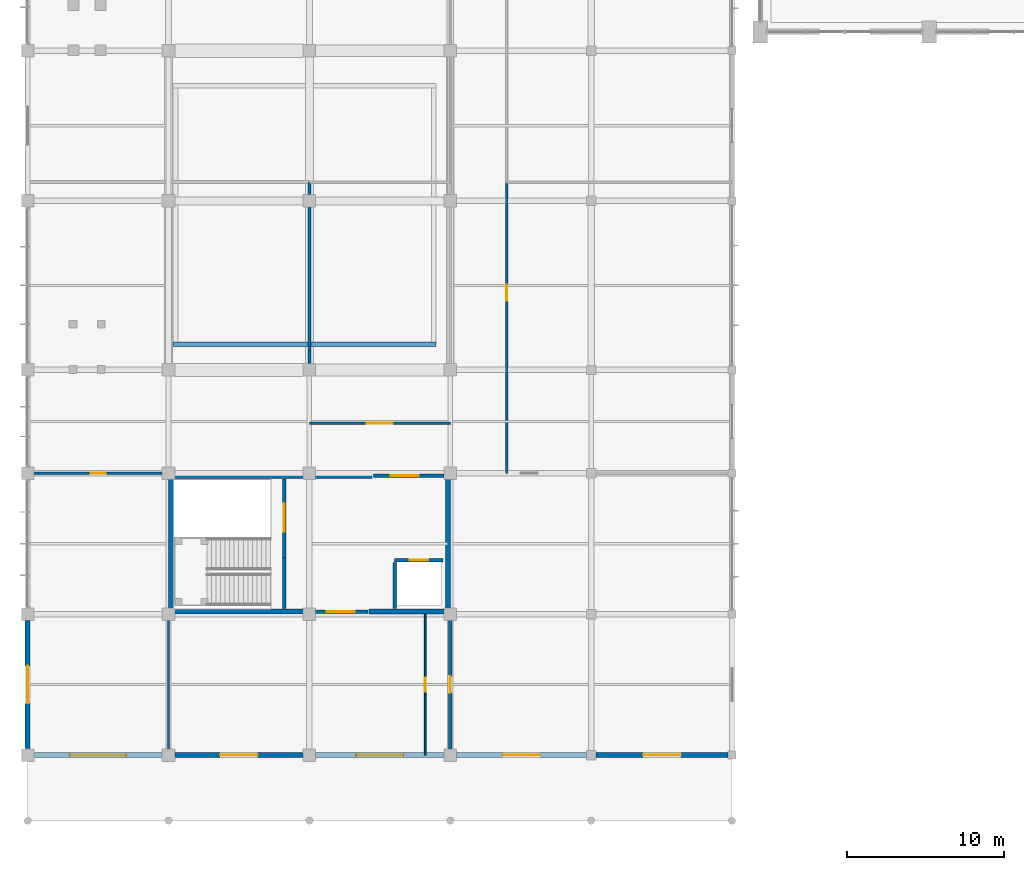
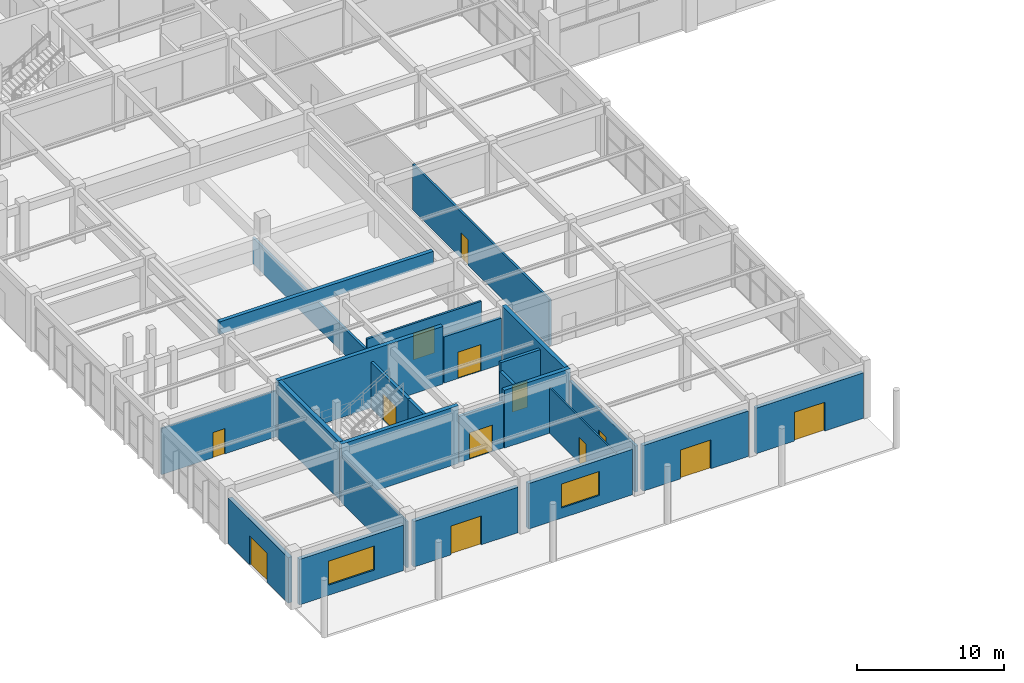
# One storey, part 47 of 82: 25 walls, 13 doors, 2 windows, 15 openings.
"""IFC4 building model written with IfcOpenShell, lengths in metres."""

from ifc_helpers import new_model, si_unit, direction, frame, frame_2d, origin, place, context, subcontext, project, spatial, rectangle, extrude, material, layer, layer_set, type_object, element, fill, save


model = new_model("IFC4")

# Units and contexts
model_context = context("Model", 3, precision=1e-05, world=origin(), true_north=direction((0.0, 1.0)))
body_context = subcontext(model_context, "Body", "Model", "MODEL_VIEW")
ifc_project = project(units=[si_unit("LENGTHUNIT", "METRE"), si_unit("AREAUNIT", "SQUARE_METRE"), si_unit("VOLUMEUNIT", "CUBIC_METRE"), si_unit("PLANEANGLEUNIT", "RADIAN"), si_unit("MASSUNIT", "GRAM", prefix="KILO")], contexts=[model_context])

# Site, building, storey
site_placement = place(None, origin())
site = spatial("IfcSite", under=ifc_project, at=site_placement, CompositionType="ELEMENT")
building_placement = place(site_placement, origin())
building = spatial("IfcBuilding", under=site, at=building_placement, Name="Suirenkawa Promenade Aquatics Centre", CompositionType="ELEMENT")
storey_placement = place(building_placement, origin())
storey = spatial("IfcBuildingStorey", under=building, at=storey_placement, Name="L00", CompositionType="ELEMENT", Elevation=0.0)

# Wall, opening, door
ifc_material_1 = material(Name="Autoclaved aerated concrete blockwork Grade 1", Category="masonry")
ifc_layer_1 = layer(ifc_material_1, 0.199951171875, Name="Autoclaved aerated concrete blockwork Grade 1", Category="masonry")
ifc_layer_set_1 = layer_set([ifc_layer_1], Name="Autoclaved aerated concrete blockwork Grade 1")
wall_type_1 = type_object("IfcWallType", Name="WT-COMP-200", PredefinedType="PARTITIONING", material=ifc_layer_set_1)
wall_1_placement = place(storey_placement, frame((27.0, 4.199951171875, 0.0), z_axis=(0.0, 0.0, 1.0), x_axis=(0.0, 1.0, 0.0)))
wall_1 = element("IfcWall", 1, at=wall_1_placement, inside=storey, type_object=wall_type_1, Name="Interior wall WL-PRT-01 W-7213", PredefinedType="PARTITIONING", context=body_context, shape_type="SweptSolid", body=[
    extrude(rectangle(XDim=9.0, YDim=0.199951171875, at=frame_2d((4.5, 0.0))), origin(), (0.0, 0.0, 1.0), 3.8349609375),
])
opening_1_placement = place(wall_1_placement, frame((3.97509765625, 0.0, 0.0)))
opening_1 = element("IfcOpeningElement", 2, at=opening_1_placement, cuts=wall_1, Name="Opening ID-04", PredefinedType="OPENING", context=body_context, shape_type="SweptSolid", body=[
    extrude(rectangle(XDim=1.050048828125, YDim=2.14990234375, at=frame_2d((0.52490234375, 1.074951171875))), frame((0.0, 0.10986328125, 0.0), z_axis=(0.0, -1.0, 0.0), x_axis=(1.0, 0.0, 0.0)), (0.0, 0.0, 1.0), 0.219970703125),
])
ifc_material_2 = material(Name="Steel IS 2062 E350 (Grade 350)", Category="steel")
door_type_1 = type_object("IfcDoorType", Name="DT-FD120-1050x2150", OperationType="NOTDEFINED", PredefinedType="DOOR", material=ifc_material_2)
door_1_placement = place(opening_1_placement, origin())
door_1 = element("IfcDoor", 3, at=door_1_placement, inside=storey, type_object=door_type_1, Name="Interior door ID-04 DR-INT-0135", OperationType="SINGLE_SWING_RIGHT", OverallHeight=2.14990234375, OverallWidth=1.050048828125, PredefinedType="DOOR", context=body_context, shape_type="SweptSolid", body=[
    extrude(rectangle(XDim=1.050048828125, YDim=2.14990234375, at=frame_2d((0.52490234375, 1.074951171875))), frame((0.0, 0.02490234375, 0.0), z_axis=(0.0, -1.0, 0.0), x_axis=(1.0, 0.0, 0.0)), (0.0, 0.0, 1.0), 0.050048828125),
])
fill(opening_1, door_1)

# Walls
ifc_material_3 = material(Name="Concrete M40", Category="concrete")
ifc_layer_2 = layer(ifc_material_3, 0.320068359375, Name="Concrete M40", Category="concrete")
ifc_layer_set_2 = layer_set([ifc_layer_2], Name="Concrete M40")
wall_type_2 = type_object("IfcWallType", Name="WT-CORE-320", PredefinedType="SHEAR", material=ifc_layer_set_2)
wall_2_placement = place(storey_placement, frame((9.0, 13.360107421875, 0.0), z_axis=(0.0, 0.0, 1.0), x_axis=(1.0, 0.0, 0.0)))
element("IfcWall", 4, at=wall_2_placement, inside=storey, type_object=wall_type_2, Name="C1 south-west core wall WL-CORE-01 W-0053", PredefinedType="SHEAR", context=body_context, shape_type="SweptSolid", body=[
    extrude(rectangle(XDim=9.199951171875, YDim=0.320068359375, at=frame_2d((4.60009765625, 0.0))), origin(), (0.0, 0.0, 1.0), 4.800048828125),
])
wall_3_placement = place(storey_placement, frame((21.800048828125, 13.360107421875, 0.0), z_axis=(0.0, 0.0, 1.0), x_axis=(1.0, 0.0, 0.0)))
element("IfcWall", 5, at=wall_3_placement, inside=storey, type_object=wall_type_2, Name="C1 south-east core wall WL-CORE-01 W-0054", PredefinedType="SHEAR", context=body_context, shape_type="SweptSolid", body=[
    extrude(rectangle(XDim=5.199951171875, YDim=0.320068359375, at=frame_2d((2.60009765625, 0.0))), origin(), (0.0, 0.0, 1.0), 4.800048828125),
])
wall_4_placement = place(storey_placement, frame((9.0, 22.0400390625, 0.0), z_axis=(0.0, 0.0, 1.0), x_axis=(1.0, 0.0, 0.0)))
element("IfcWall", 6, at=wall_4_placement, inside=storey, type_object=wall_type_2, Name="C1 north core wall WL-CORE-01 W-0055", PredefinedType="SHEAR", context=body_context, shape_type="SweptSolid", body=[
    extrude(rectangle(XDim=13.0, YDim=0.320068359375, at=frame_2d((6.5, 0.0))), origin(), (0.0, 0.0, 1.0), 4.800048828125),
])
wall_5_placement = place(storey_placement, frame((9.159912109375, 13.52001953125, 0.0), z_axis=(0.0, 0.0, 1.0), x_axis=(0.0, 1.0, 0.0)))
element("IfcWall", 7, at=wall_5_placement, inside=storey, type_object=wall_type_2, Name="C1 west core wall WL-CORE-01 W-0056", PredefinedType="SHEAR", context=body_context, shape_type="SweptSolid", body=[
    extrude(rectangle(XDim=8.35986328125, YDim=0.320068359375, at=frame_2d((4.179931640625, 0.0))), origin(), (0.0, 0.0, 1.0), 4.800048828125),
])
wall_6_placement = place(storey_placement, frame((26.840087890625, 13.52001953125, 0.0), z_axis=(0.0, 0.0, 1.0), x_axis=(0.0, 1.0, 0.0)))
element("IfcWall", 8, at=wall_6_placement, inside=storey, type_object=wall_type_2, Name="C1 east core wall WL-CORE-01 W-0057", PredefinedType="SHEAR", context=body_context, shape_type="SweptSolid", body=[
    extrude(rectangle(XDim=8.47998046875, YDim=0.320068359375, at=frame_2d((4.239990234375, 0.0))), origin(), (0.0, 0.0, 1.0), 4.800048828125),
])

# Wall, opening, window
ifc_layer_3 = layer(ifc_material_3, 0.31005859375, Name="Concrete M40", Category="concrete")
ifc_layer_set_3 = layer_set([ifc_layer_3], Name="Concrete M40")
wall_type_3 = type_object("IfcWallType", Name="WT-EXT-310", PredefinedType="SOLIDWALL", material=ifc_layer_set_3)
wall_7_placement = place(storey_placement, frame((8.594970703125, 4.199951171875, 0.0), z_axis=(0.0, 0.0, 1.0), x_axis=(-1.0, 0.0, 0.0)))
wall_7 = element("IfcWall", 9, at=wall_7_placement, inside=storey, type_object=wall_type_3, Name="Exterior wall WL-EXT-02 W-5074", PredefinedType="SOLIDWALL", context=body_context, shape_type="SweptSolid", body=[
    extrude(rectangle(XDim=8.18994140625, YDim=0.31005859375, at=frame_2d((4.094970703125, 0.0))), origin(), (0.0, 0.0, 1.0), 3.784912109375),
])
opening_2_placement = place(wall_7_placement, frame((2.294921875, 0.0, 0.85009765625)))
opening_2 = element("IfcOpeningElement", 10, at=opening_2_placement, cuts=wall_7, Name="Opening WN-22", PredefinedType="OPENING", context=body_context, shape_type="SweptSolid", body=[
    extrude(rectangle(XDim=3.60009765625, YDim=2.0, at=frame_2d((1.800048828125, 1.0))), frame((0.0, 0.1650390625, 0.0), z_axis=(0.0, -1.0, 0.0), x_axis=(1.0, 0.0, 0.0)), (0.0, 0.0, 1.0), 0.330078125),
])
ifc_material_4 = material(Name="Low-E thermally broken double glazing", Category="glass")
window_type_1 = type_object("IfcWindowType", Name="WNT-VIEW-3600x2000", PartitioningType="SINGLE_PANEL", PredefinedType="WINDOW", material=ifc_material_4)
window_1_placement = place(opening_2_placement, origin())
window_1 = element("IfcWindow", 11, at=window_1_placement, inside=storey, type_object=window_type_1, Name="Window WN-22 WN-0024", OverallHeight=2.0, OverallWidth=3.60009765625, PartitioningType="SINGLE_PANEL", PredefinedType="WINDOW", context=body_context, shape_type="SweptSolid", body=[
    extrude(rectangle(XDim=3.60009765625, YDim=2.0, at=frame_2d((1.800048828125, 1.0))), frame((0.0, 0.030029296875, 0.0), z_axis=(0.0, -1.0, 0.0), x_axis=(1.0, 0.0, 0.0)), (0.0, 0.0, 1.0), 0.06005859375),
])
fill(opening_2, window_1)

# Wall, opening, door
wall_8_placement = place(storey_placement, frame((17.594970703125, 4.199951171875, 0.0), z_axis=(0.0, 0.0, 1.0), x_axis=(-1.0, 0.0, 0.0)))
wall_8 = element("IfcWall", 12, at=wall_8_placement, inside=storey, type_object=wall_type_3, Name="Exterior wall WL-EXT-02 W-5075", PredefinedType="SOLIDWALL", context=body_context, shape_type="SweptSolid", body=[
    extrude(rectangle(XDim=8.18994140625, YDim=0.31005859375, at=frame_2d((4.094970703125, 0.0))), origin(), (0.0, 0.0, 1.0), 3.784912109375),
])
opening_3_placement = place(wall_8_placement, frame((2.89501953125, 0.0, 0.0)))
opening_3 = element("IfcOpeningElement", 13, at=opening_3_placement, cuts=wall_8, Name="Opening ED-04", PredefinedType="OPENING", context=body_context, shape_type="SweptSolid", body=[
    extrude(rectangle(XDim=2.39990234375, YDim=2.39990234375, at=frame_2d((1.199951171875, 1.199951171875))), frame((0.0, 0.1650390625, 0.0), z_axis=(0.0, -1.0, 0.0), x_axis=(1.0, 0.0, 0.0)), (0.0, 0.0, 1.0), 0.330078125),
])
ifc_material_5 = material(Name="Anodised aluminium 6063-T6", Category="aluminium")
door_type_2 = type_object("IfcDoorType", Name="DT-EXT-EXIT-2400x2400", OperationType="DOUBLE_DOOR_SINGLE_SWING", PredefinedType="DOOR", material=ifc_material_5)
door_2_placement = place(opening_3_placement, origin())
door_2 = element("IfcDoor", 14, at=door_2_placement, inside=storey, type_object=door_type_2, Name="Exterior door ED-04 DR-EXT-042", OperationType="DOUBLE_DOOR_SINGLE_SWING", OverallHeight=2.39990234375, OverallWidth=2.39990234375, PredefinedType="DOOR", context=body_context, shape_type="SweptSolid", body=[
    extrude(rectangle(XDim=2.39990234375, YDim=2.39990234375, at=frame_2d((1.199951171875, 1.199951171875))), frame((0.0, 0.02490234375, 0.0), z_axis=(0.0, -1.0, 0.0), x_axis=(1.0, 0.0, 0.0)), (0.0, 0.0, 1.0), 0.050048828125),
])
fill(opening_3, door_2)

# Wall, opening, window
wall_9_placement = place(storey_placement, frame((26.594970703125, 4.199951171875, 0.0), z_axis=(0.0, 0.0, 1.0), x_axis=(-1.0, 0.0, 0.0)))
wall_9 = element("IfcWall", 15, at=wall_9_placement, inside=storey, type_object=wall_type_3, Name="Exterior wall WL-EXT-02 W-5076", PredefinedType="SOLIDWALL", context=body_context, shape_type="SweptSolid", body=[
    extrude(rectangle(XDim=8.18994140625, YDim=0.31005859375, at=frame_2d((4.094970703125, 0.0))), origin(), (0.0, 0.0, 1.0), 3.784912109375),
])
opening_4_placement = place(wall_9_placement, frame((2.594970703125, 0.0, 0.85009765625)))
opening_4 = element("IfcOpeningElement", 16, at=opening_4_placement, cuts=wall_9, Name="Opening WN-23", PredefinedType="OPENING", context=body_context, shape_type="SweptSolid", body=[
    extrude(rectangle(XDim=3.0, YDim=2.0, at=frame_2d((1.5, 1.0))), frame((0.0, 0.1650390625, 0.0), z_axis=(0.0, -1.0, 0.0), x_axis=(1.0, 0.0, 0.0)), (0.0, 0.0, 1.0), 0.330078125),
])
window_type_2 = type_object("IfcWindowType", Name="WNT-VIEW-3000x2000", PartitioningType="SINGLE_PANEL", PredefinedType="WINDOW", material=ifc_material_4)
window_2_placement = place(opening_4_placement, origin())
window_2 = element("IfcWindow", 17, at=window_2_placement, inside=storey, type_object=window_type_2, Name="Window WN-23 WN-0025", OverallHeight=2.0, OverallWidth=3.0, PartitioningType="SINGLE_PANEL", PredefinedType="WINDOW", context=body_context, shape_type="SweptSolid", body=[
    extrude(rectangle(XDim=3.0, YDim=2.0, at=frame_2d((1.5, 1.0))), frame((0.0, 0.030029296875, 0.0), z_axis=(0.0, -1.0, 0.0), x_axis=(1.0, 0.0, 0.0)), (0.0, 0.0, 1.0), 0.06005859375),
])
fill(opening_4, window_2)

# Wall, opening, door
wall_10_placement = place(storey_placement, frame((35.695068359375, 4.199951171875, 0.0), z_axis=(0.0, 0.0, 1.0), x_axis=(-1.0, 0.0, 0.0)))
wall_10 = element("IfcWall", 18, at=wall_10_placement, inside=storey, type_object=wall_type_3, Name="Exterior wall WL-EXT-02 W-5077", PredefinedType="SOLIDWALL", context=body_context, shape_type="SweptSolid", body=[
    extrude(rectangle(XDim=8.2900390625, YDim=0.31005859375, at=frame_2d((4.14501953125, 0.0))), origin(), (0.0, 0.0, 1.0), 3.784912109375),
])
opening_5_placement = place(wall_10_placement, frame((2.945068359375, 0.0, 0.0)))
opening_5 = element("IfcOpeningElement", 19, at=opening_5_placement, cuts=wall_10, Name="Opening ED-04", PredefinedType="OPENING", context=body_context, shape_type="SweptSolid", body=[
    extrude(rectangle(XDim=2.39990234375, YDim=2.39990234375, at=frame_2d((1.199951171875, 1.199951171875))), frame((0.0, 0.1650390625, 0.0), z_axis=(0.0, -1.0, 0.0), x_axis=(1.0, 0.0, 0.0)), (0.0, 0.0, 1.0), 0.330078125),
])
door_3_placement = place(opening_5_placement, origin())
door_3 = element("IfcDoor", 20, at=door_3_placement, inside=storey, type_object=door_type_2, Name="Exterior door ED-04 DR-EXT-043", OperationType="DOUBLE_DOOR_SINGLE_SWING", OverallHeight=2.39990234375, OverallWidth=2.39990234375, PredefinedType="DOOR", context=body_context, shape_type="SweptSolid", body=[
    extrude(rectangle(XDim=2.39990234375, YDim=2.39990234375, at=frame_2d((1.199951171875, 1.199951171875))), frame((0.0, 0.02490234375, 0.0), z_axis=(0.0, -1.0, 0.0), x_axis=(1.0, 0.0, 0.0)), (0.0, 0.0, 1.0), 0.050048828125),
])
fill(opening_5, door_3)

wall_11_placement = place(storey_placement, frame((44.7451171875, 4.199951171875, 0.0), z_axis=(0.0, 0.0, 1.0), x_axis=(-1.0, 0.0, 0.0)))
wall_11 = element("IfcWall", 21, at=wall_11_placement, inside=storey, type_object=wall_type_3, Name="Exterior wall WL-EXT-02 W-5078", PredefinedType="SOLIDWALL", context=body_context, shape_type="SweptSolid", body=[
    extrude(rectangle(XDim=8.440185546875, YDim=0.31005859375, at=frame_2d((4.22021484375, 0.0))), origin(), (0.0, 0.0, 1.0), 3.784912109375),
])
opening_6_placement = place(wall_11_placement, frame((3.02001953125, 0.0, 0.0)))
opening_6 = element("IfcOpeningElement", 22, at=opening_6_placement, cuts=wall_11, Name="Opening ED-04", PredefinedType="OPENING", context=body_context, shape_type="SweptSolid", body=[
    extrude(rectangle(XDim=2.39990234375, YDim=2.39990234375, at=frame_2d((1.199951171875, 1.199951171875))), frame((0.0, 0.1650390625, 0.0), z_axis=(0.0, -1.0, 0.0), x_axis=(1.0, 0.0, 0.0)), (0.0, 0.0, 1.0), 0.330078125),
])
door_4_placement = place(opening_6_placement, origin())
door_4 = element("IfcDoor", 23, at=door_4_placement, inside=storey, type_object=door_type_2, Name="Exterior door ED-04 DR-EXT-044", OperationType="DOUBLE_DOOR_SINGLE_SWING", OverallHeight=2.39990234375, OverallWidth=2.39990234375, PredefinedType="DOOR", context=body_context, shape_type="SweptSolid", body=[
    extrude(rectangle(XDim=2.39990234375, YDim=2.39990234375, at=frame_2d((1.199951171875, 1.199951171875))), frame((0.0, 0.02490234375, 0.0), z_axis=(0.0, -1.0, 0.0), x_axis=(1.0, 0.0, 0.0)), (0.0, 0.0, 1.0), 0.050048828125),
])
fill(opening_6, door_4)

wall_12_placement = place(storey_placement, frame((0.0, 4.60498046875, 0.0), z_axis=(0.0, 0.0, 1.0), x_axis=(0.0, 1.0, 0.0)))
wall_12 = element("IfcWall", 24, at=wall_12_placement, inside=storey, type_object=wall_type_3, Name="Exterior wall WL-EXT-02 W-5094", PredefinedType="SOLIDWALL", context=body_context, shape_type="SweptSolid", body=[
    extrude(rectangle(XDim=8.18994140625, YDim=0.31005859375, at=frame_2d((4.094970703125, 0.0))), origin(), (0.0, 0.0, 1.0), 3.784912109375),
])
opening_7_placement = place(wall_12_placement, frame((2.89501953125, 0.0, 0.0)))
opening_7 = element("IfcOpeningElement", 25, at=opening_7_placement, cuts=wall_12, Name="Opening ED-04", PredefinedType="OPENING", context=body_context, shape_type="SweptSolid", body=[
    extrude(rectangle(XDim=2.39990234375, YDim=2.39990234375, at=frame_2d((1.199951171875, 1.199951171875))), frame((0.0, 0.1650390625, 0.0), z_axis=(0.0, -1.0, 0.0), x_axis=(1.0, 0.0, 0.0)), (0.0, 0.0, 1.0), 0.330078125),
])
door_5_placement = place(opening_7_placement, origin())
door_5 = element("IfcDoor", 26, at=door_5_placement, inside=storey, type_object=door_type_2, Name="Exterior door ED-04 DR-EXT-045", OperationType="DOUBLE_DOOR_SINGLE_SWING", OverallHeight=2.39990234375, OverallWidth=2.39990234375, PredefinedType="DOOR", context=body_context, shape_type="SweptSolid", body=[
    extrude(rectangle(XDim=2.39990234375, YDim=2.39990234375, at=frame_2d((1.199951171875, 1.199951171875))), frame((0.0, 0.02490234375, 0.0), z_axis=(0.0, -1.0, 0.0), x_axis=(1.0, 0.0, 0.0)), (0.0, 0.0, 1.0), 0.050048828125),
])
fill(opening_7, door_5)

# Wall
ifc_layer_4 = layer(ifc_material_1, 0.179931640625, Name="Autoclaved aerated concrete blockwork Grade 1", Category="masonry")
ifc_layer_set_4 = layer_set([ifc_layer_4], Name="Autoclaved aerated concrete blockwork Grade 1")
wall_type_4 = type_object("IfcWallType", Name="WT-FIRE-180", PredefinedType="PARTITIONING", material=ifc_layer_set_4)
wall_13_placement = place(storey_placement, frame((18.0, 22.199951171875, 0.0), z_axis=(0.0, 0.0, 1.0), x_axis=(0.0, 1.0, 0.0)))
element("IfcWall", 27, at=wall_13_placement, inside=storey, type_object=wall_type_4, Name="Interior wall WL-PRT-02 W-7232", PredefinedType="PARTITIONING", context=body_context, shape_type="SweptSolid", body=[
    extrude(rectangle(XDim=18.60009765625, YDim=0.179931640625, at=frame_2d((9.300048828125, 0.0))), origin(), (0.0, 0.0, 1.0), 2.179931640625),
])

# Wall, opening, door
ifc_material_6 = material(Name="Moisture-resistant acoustic gypsum board")
ifc_layer_5 = layer(ifc_material_6, 0.1201171875, Name="Moisture-resistant acoustic gypsum board")
ifc_layer_set_5 = layer_set([ifc_layer_5], Name="Moisture-resistant acoustic gypsum board")
wall_type_5 = type_object("IfcWallType", Name="WT-LIGHT-120", PredefinedType="PARTITIONING", material=ifc_layer_set_5)
wall_14_placement = place(storey_placement, frame((25.39990234375, 4.199951171875, 0.0), z_axis=(0.0, 0.0, 1.0), x_axis=(0.0, 1.0, 0.0)))
wall_14 = element("IfcWall", 28, at=wall_14_placement, inside=storey, type_object=wall_type_5, Name="Interior wall WL-PRT-05 W-7211", PredefinedType="PARTITIONING", context=body_context, shape_type="SweptSolid", body=[
    extrude(rectangle(XDim=9.0, YDim=0.1201171875, at=frame_2d((4.5, 0.0))), origin(), (0.0, 0.0, 1.0), 3.784912109375),
])
opening_8_placement = place(wall_14_placement, frame((4.050048828125, 0.0, 0.0)))
opening_8 = element("IfcOpeningElement", 29, at=opening_8_placement, cuts=wall_14, Name="Opening ID-12", PredefinedType="OPENING", context=body_context, shape_type="SweptSolid", body=[
    extrude(rectangle(XDim=0.89990234375, YDim=2.10009765625, at=frame_2d((0.449951171875, 1.050048828125))), frame((0.0, 0.070068359375, 0.0), z_axis=(0.0, -1.0, 0.0), x_axis=(1.0, 0.0, 0.0)), (0.0, 0.0, 1.0), 0.14013671875),
])
ifc_material_7 = material(Name="Engineered maple acoustic sports timber", Category="wood")
door_type_3 = type_object("IfcDoorType", Name="DT-STD-900x2100", OperationType="NOTDEFINED", PredefinedType="DOOR", material=ifc_material_7)
door_6_placement = place(opening_8_placement, origin())
door_6 = element("IfcDoor", 30, at=door_6_placement, inside=storey, type_object=door_type_3, Name="Interior door ID-12 DR-INT-0134", OperationType="SINGLE_SWING_LEFT", OverallHeight=2.10009765625, OverallWidth=0.89990234375, PredefinedType="DOOR", context=body_context, shape_type="SweptSolid", body=[
    extrude(rectangle(XDim=0.89990234375, YDim=2.10009765625, at=frame_2d((0.449951171875, 1.050048828125))), frame((0.0, 0.02490234375, 0.0), z_axis=(0.0, -1.0, 0.0), x_axis=(1.0, 0.0, 0.0)), (0.0, 0.0, 1.0), 0.050048828125),
])
fill(opening_8, door_6)

# Wall
wall_15_placement = place(storey_placement, frame((9.0, 4.199951171875, 0.0), z_axis=(0.0, 0.0, 1.0), x_axis=(0.0, 1.0, 0.0)))
element("IfcWall", 31, at=wall_15_placement, inside=storey, type_object=wall_type_5, Name="Interior wall WL-PRT-05 W-7212", PredefinedType="PARTITIONING", context=body_context, shape_type="SweptSolid", body=[
    extrude(rectangle(XDim=9.0, YDim=0.1201171875, at=frame_2d((4.5, 0.0))), origin(), (0.0, 0.0, 1.0), 3.8349609375),
])

# Wall, opening, door
ifc_material_8 = material(Name="Concrete M35", Category="concrete")
ifc_layer_6 = layer(ifc_material_8, 0.219970703125, Name="Concrete M35", Category="concrete")
ifc_layer_set_6 = layer_set([ifc_layer_6], Name="Concrete M35")
wall_type_6 = type_object("IfcWallType", Name="WT-LOBBY-220", PredefinedType="PARTITIONING", material=ifc_layer_set_6)
wall_16_placement = place(storey_placement, frame((16.39990234375, 21.85009765625, 0.0), z_axis=(0.0, 0.0, 1.0), x_axis=(0.0, -1.0, 0.0)))
wall_16 = element("IfcWall", 32, at=wall_16_placement, inside=storey, type_object=wall_type_6, Name="Interior wall WL-LOB-01 W-7007", PredefinedType="PARTITIONING", context=body_context, shape_type="SweptSolid", body=[
    extrude(rectangle(XDim=5.050048828125, YDim=0.219970703125, at=frame_2d((2.52490234375, 0.0))), origin(), (0.0, 0.0, 1.0), 3.8349609375),
])
opening_9_placement = place(wall_16_placement, frame((1.60009765625, 0.0, 0.0)))
opening_9 = element("IfcOpeningElement", 33, at=opening_9_placement, cuts=wall_16, Name="Opening ID-02", PredefinedType="OPENING", context=body_context, shape_type="SweptSolid", body=[
    extrude(rectangle(XDim=1.800048828125, YDim=2.199951171875, at=frame_2d((0.89990234375, 1.10009765625))), frame((0.0, 0.119873046875, 0.0), z_axis=(0.0, -1.0, 0.0), x_axis=(1.0, 0.0, 0.0)), (0.0, 0.0, 1.0), 0.239990234375),
])
door_type_4 = type_object("IfcDoorType", Name="DT-FD120-1800x2200", OperationType="DOUBLE_DOOR_SINGLE_SWING", PredefinedType="DOOR", material=ifc_material_2)
door_7_placement = place(opening_9_placement, origin())
door_7 = element("IfcDoor", 34, at=door_7_placement, inside=storey, type_object=door_type_4, Name="Interior door ID-02 DR-INT-0005", OperationType="DOUBLE_DOOR_SINGLE_SWING", OverallHeight=2.199951171875, OverallWidth=1.800048828125, PredefinedType="DOOR", context=body_context, shape_type="SweptSolid", body=[
    extrude(rectangle(XDim=1.800048828125, YDim=2.199951171875, at=frame_2d((0.89990234375, 1.10009765625))), frame((0.0, 0.02490234375, 0.0), z_axis=(0.0, -1.0, 0.0), x_axis=(1.0, 0.0, 0.0)), (0.0, 0.0, 1.0), 0.050048828125),
])
fill(opening_9, door_7)

# Wall
wall_17_placement = place(storey_placement, frame((16.39990234375, 13.550048828125, 0.0), z_axis=(0.0, 0.0, 1.0), x_axis=(0.0, 1.0, 0.0)))
element("IfcWall", 35, at=wall_17_placement, inside=storey, type_object=wall_type_6, Name="Interior wall WL-LOB-01 W-7008", PredefinedType="PARTITIONING", context=body_context, shape_type="SweptSolid", body=[
    extrude(rectangle(XDim=3.25, YDim=0.219970703125, at=frame_2d((1.625, 0.0))), origin(), (0.0, 0.0, 1.0), 3.8349609375),
])

# Wall, opening, door
wall_18_placement = place(storey_placement, frame((22.10009765625, 22.0400390625, 0.0), z_axis=(0.0, 0.0, 1.0), x_axis=(1.0, 0.0, 0.0)))
wall_18 = element("IfcWall", 36, at=wall_18_placement, inside=storey, type_object=wall_type_6, Name="Interior wall WL-LOB-01 W-7011", PredefinedType="PARTITIONING", context=body_context, shape_type="SweptSolid", body=[
    extrude(rectangle(XDim=4.5, YDim=0.219970703125, at=frame_2d((2.25, 0.0))), origin(), (0.0, 0.0, 1.0), 3.8349609375),
])
opening_10_placement = place(wall_18_placement, frame((1.10009765625, 0.0, 0.0)))
opening_10 = element("IfcOpeningElement", 37, at=opening_10_placement, cuts=wall_18, Name="Opening ID-02", PredefinedType="OPENING", context=body_context, shape_type="SweptSolid", body=[
    extrude(rectangle(XDim=1.800048828125, YDim=2.199951171875, at=frame_2d((0.89990234375, 1.10009765625))), frame((0.0, 0.119873046875, 0.0), z_axis=(0.0, -1.0, 0.0), x_axis=(1.0, 0.0, 0.0)), (0.0, 0.0, 1.0), 0.239990234375),
])
door_8_placement = place(opening_10_placement, origin())
door_8 = element("IfcDoor", 38, at=door_8_placement, inside=storey, type_object=door_type_4, Name="Interior door ID-02 DR-INT-0007", OperationType="DOUBLE_DOOR_SINGLE_SWING", OverallHeight=2.199951171875, OverallWidth=1.800048828125, PredefinedType="DOOR", context=body_context, shape_type="SweptSolid", body=[
    extrude(rectangle(XDim=1.800048828125, YDim=2.199951171875, at=frame_2d((0.89990234375, 1.10009765625))), frame((0.0, 0.02490234375, 0.0), z_axis=(0.0, -1.0, 0.0), x_axis=(1.0, 0.0, 0.0)), (0.0, 0.0, 1.0), 0.050048828125),
])
fill(opening_10, door_8)

wall_19_placement = place(storey_placement, frame((18.25, 13.360107421875, 0.0), z_axis=(0.0, 0.0, 1.0), x_axis=(1.0, 0.0, 0.0)))
wall_19 = element("IfcWall", 39, at=wall_19_placement, inside=storey, type_object=wall_type_6, Name="Interior wall WL-LOB-01 W-7167", PredefinedType="PARTITIONING", context=body_context, shape_type="SweptSolid", body=[
    extrude(rectangle(XDim=3.5, YDim=0.219970703125, at=frame_2d((1.75, 0.0))), origin(), (0.0, 0.0, 1.0), 3.8349609375),
])
opening_11_placement = place(wall_19_placement, frame((0.85009765625, 0.0, 0.0)))
opening_11 = element("IfcOpeningElement", 40, at=opening_11_placement, cuts=wall_19, Name="Opening ID-02", PredefinedType="OPENING", context=body_context, shape_type="SweptSolid", body=[
    extrude(rectangle(XDim=1.800048828125, YDim=2.199951171875, at=frame_2d((0.89990234375, 1.10009765625))), frame((0.0, 0.119873046875, 0.0), z_axis=(0.0, -1.0, 0.0), x_axis=(1.0, 0.0, 0.0)), (0.0, 0.0, 1.0), 0.239990234375),
])
door_9_placement = place(opening_11_placement, origin())
door_9 = element("IfcDoor", 41, at=door_9_placement, inside=storey, type_object=door_type_4, Name="Interior door ID-02 DR-INT-0104", OperationType="DOUBLE_DOOR_SINGLE_SWING", OverallHeight=2.199951171875, OverallWidth=1.800048828125, PredefinedType="DOOR", context=body_context, shape_type="SweptSolid", body=[
    extrude(rectangle(XDim=1.800048828125, YDim=2.199951171875, at=frame_2d((0.89990234375, 1.10009765625))), frame((0.0, 0.02490234375, 0.0), z_axis=(0.0, -1.0, 0.0), x_axis=(1.0, 0.0, 0.0)), (0.0, 0.0, 1.0), 0.050048828125),
])
fill(opening_11, door_9)

ifc_layer_7 = layer(ifc_material_3, 0.239990234375, Name="Concrete M40", Category="concrete")
ifc_layer_set_7 = layer_set([ifc_layer_7], Name="Concrete M40")
wall_type_7 = type_object("IfcWallType", Name="WT-SHAFT-240", PredefinedType="SOLIDWALL", material=ifc_layer_set_7)
wall_20_placement = place(storey_placement, frame((23.449951171875, 16.64990234375, 0.0), z_axis=(0.0, 0.0, 1.0), x_axis=(1.0, 0.0, 0.0)))
wall_20 = element("IfcWall", 42, at=wall_20_placement, inside=storey, type_object=wall_type_7, Name="Interior wall WL-SHF-01 W-7009", PredefinedType="SOLIDWALL", context=body_context, shape_type="SweptSolid", body=[
    extrude(rectangle(XDim=3.10009765625, YDim=0.239990234375, at=frame_2d((1.550048828125, 0.0))), origin(), (0.0, 0.0, 1.0), 4.5048828125),
])
opening_12_placement = place(wall_20_placement, frame((0.949951171875, 0.0, 0.0)))
opening_12 = element("IfcOpeningElement", 43, at=opening_12_placement, cuts=wall_20, Name="Opening LD-02", PredefinedType="OPENING", context=body_context, shape_type="SweptSolid", body=[
    extrude(rectangle(XDim=1.199951171875, YDim=2.199951171875, at=frame_2d((0.60009765625, 1.10009765625))), frame((0.0, 0.1298828125, 0.0), z_axis=(0.0, -1.0, 0.0), x_axis=(1.0, 0.0, 0.0)), (0.0, 0.0, 1.0), 0.260009765625),
])
ifc_material_9 = material(Name="Marine-grade stainless steel Grade 316L", Category="steel")
door_type_5 = type_object("IfcDoorType", Name="DT-LIFT-1200x2200", OperationType="DOUBLE_DOOR_SLIDING", PredefinedType="DOOR", material=ifc_material_9)
door_10_placement = place(opening_12_placement, origin())
door_10 = element("IfcDoor", 44, at=door_10_placement, inside=storey, type_object=door_type_5, Name="Landing door LD-02 DR-INT-0006", OperationType="DOUBLE_DOOR_SLIDING", OverallHeight=2.199951171875, OverallWidth=1.199951171875, PredefinedType="DOOR", context=body_context, shape_type="SweptSolid", body=[
    extrude(rectangle(XDim=1.199951171875, YDim=2.199951171875, at=frame_2d((0.60009765625, 1.10009765625))), frame((0.0, 0.02490234375, 0.0), z_axis=(0.0, -1.0, 0.0), x_axis=(1.0, 0.0, 0.0)), (0.0, 0.0, 1.0), 0.050048828125),
])
fill(opening_12, door_10)

# Wall
wall_21_placement = place(storey_placement, frame((23.449951171875, 13.550048828125, 0.0), z_axis=(0.0, 0.0, 1.0), x_axis=(0.0, 1.0, 0.0)))
element("IfcWall", 45, at=wall_21_placement, inside=storey, type_object=wall_type_7, Name="Interior wall WL-SHF-01 W-7010", PredefinedType="SOLIDWALL", context=body_context, shape_type="SweptSolid", body=[
    extrude(rectangle(XDim=2.949951171875, YDim=0.239990234375, at=frame_2d((1.47509765625, 0.0))), origin(), (0.0, 0.0, 1.0), 3.8349609375),
])

# Wall, opening, door
ifc_layer_8 = layer(ifc_material_6, 0.139892578125, Name="Moisture-resistant acoustic gypsum board")
ifc_layer_set_8 = layer_set([ifc_layer_8], Name="Moisture-resistant acoustic gypsum board")
wall_type_8 = type_object("IfcWallType", Name="WT-STD-140", PredefinedType="PARTITIONING", material=ifc_layer_set_8)
wall_22_placement = place(storey_placement, frame((0.0, 22.199951171875, 0.0), z_axis=(0.0, 0.0, 1.0), x_axis=(1.0, 0.0, 0.0)))
wall_22 = element("IfcWall", 46, at=wall_22_placement, inside=storey, type_object=wall_type_8, Name="Interior wall WL-PRT-04 W-7210", PredefinedType="PARTITIONING", context=body_context, shape_type="SweptSolid", body=[
    extrude(rectangle(XDim=9.0, YDim=0.139892578125, at=frame_2d((4.5, 0.0))), origin(), (0.0, 0.0, 1.0), 3.8349609375),
])
opening_13_placement = place(wall_22_placement, frame((4.02490234375, 0.0, 0.0)))
opening_13 = element("IfcOpeningElement", 47, at=opening_13_placement, cuts=wall_22, Name="Opening ID-11", PredefinedType="OPENING", context=body_context, shape_type="SweptSolid", body=[
    extrude(rectangle(XDim=0.949951171875, YDim=2.10009765625, at=frame_2d((0.47509765625, 1.050048828125))), frame((0.0, 0.079833984375, 0.0), z_axis=(0.0, -1.0, 0.0), x_axis=(1.0, 0.0, 0.0)), (0.0, 0.0, 1.0), 0.159912109375),
])
door_type_6 = type_object("IfcDoorType", Name="DT-STD-950x2100", OperationType="NOTDEFINED", PredefinedType="DOOR", material=ifc_material_7)
door_11_placement = place(opening_13_placement, origin())
door_11 = element("IfcDoor", 48, at=door_11_placement, inside=storey, type_object=door_type_6, Name="Interior door ID-11 DR-INT-0133", OperationType="SINGLE_SWING_RIGHT", OverallHeight=2.10009765625, OverallWidth=0.949951171875, PredefinedType="DOOR", context=body_context, shape_type="SweptSolid", body=[
    extrude(rectangle(XDim=0.949951171875, YDim=2.10009765625, at=frame_2d((0.47509765625, 1.050048828125))), frame((0.0, 0.02490234375, 0.0), z_axis=(0.0, -1.0, 0.0), x_axis=(1.0, 0.0, 0.0)), (0.0, 0.0, 1.0), 0.050048828125),
])
fill(opening_13, door_11)

# Wall
ifc_material_10 = material(Name="Waterproof concrete M40", Category="concrete")
ifc_layer_9 = layer(ifc_material_10, 0.300048828125, Name="Waterproof concrete M40", Category="concrete")
ifc_layer_set_9 = layer_set([ifc_layer_9], Name="Waterproof concrete M40")
wall_type_9 = type_object("IfcWallType", Name="WT-TANK-300", PredefinedType="USERDEFINED", material=ifc_layer_set_9)
wall_23_placement = place(storey_placement, frame((9.300048828125, 30.449951171875, 3.449951171875), z_axis=(0.0, 0.0, 1.0), x_axis=(1.0, 0.0, 0.0)))
element("IfcWall", 49, at=wall_23_placement, inside=storey, type_object=wall_type_9, Name="Hydrotherapy and Rehabilitation Pool south tank wall WL-RET-04 W-0033", ObjectType="RETAININGWALL", PredefinedType="USERDEFINED", context=body_context, shape_type="SweptSolid", body=[
    extrude(rectangle(XDim=16.800048828125, YDim=0.300048828125, at=frame_2d((8.39990234375, 0.0))), origin(), (0.0, 0.0, 1.0), 1.050048828125),
])

# Wall, opening, door
ifc_layer_10 = layer(ifc_material_1, 0.159912109375, Name="Autoclaved aerated concrete blockwork Grade 1", Category="masonry")
ifc_layer_set_10 = layer_set([ifc_layer_10], Name="Autoclaved aerated concrete blockwork Grade 1")
wall_type_10 = type_object("IfcWallType", Name="WT-WET-160", PredefinedType="PARTITIONING", material=ifc_layer_set_10)
wall_24_placement = place(storey_placement, frame((30.60009765625, 22.199951171875, 0.0), z_axis=(0.0, 0.0, 1.0), x_axis=(0.0, 1.0, 0.0)))
wall_24 = element("IfcWall", 50, at=wall_24_placement, inside=storey, type_object=wall_type_10, Name="Interior wall WL-PRT-03 W-7214", PredefinedType="PARTITIONING", context=body_context, shape_type="SweptSolid", body=[
    extrude(rectangle(XDim=18.60009765625, YDim=0.159912109375, at=frame_2d((9.300048828125, 0.0))), origin(), (0.0, 0.0, 1.0), 3.8349609375),
])
opening_14_placement = place(wall_24_placement, frame((11.031982421875, 0.0, 0.0)))
opening_14 = element("IfcOpeningElement", 51, at=opening_14_placement, cuts=wall_24, Name="Opening ID-07", PredefinedType="OPENING", context=body_context, shape_type="SweptSolid", body=[
    extrude(rectangle(XDim=1.0, YDim=2.10009765625, at=frame_2d((0.5, 1.050048828125))), frame((0.0, 0.08984375, 0.0), z_axis=(0.0, -1.0, 0.0), x_axis=(1.0, 0.0, 0.0)), (0.0, 0.0, 1.0), 0.179931640625),
])
door_type_7 = type_object("IfcDoorType", Name="DT-FD60-1000x2100", OperationType="NOTDEFINED", PredefinedType="DOOR", material=ifc_material_7)
door_12_placement = place(opening_14_placement, origin())
door_12 = element("IfcDoor", 52, at=door_12_placement, inside=storey, type_object=door_type_7, Name="Interior door ID-07 DR-INT-0136", OperationType="SINGLE_SWING_LEFT", OverallHeight=2.10009765625, OverallWidth=1.0, PredefinedType="DOOR", context=body_context, shape_type="SweptSolid", body=[
    extrude(rectangle(XDim=1.0, YDim=2.10009765625, at=frame_2d((0.5, 1.050048828125))), frame((0.0, 0.02490234375, 0.0), z_axis=(0.0, -1.0, 0.0), x_axis=(1.0, 0.0, 0.0)), (0.0, 0.0, 1.0), 0.050048828125),
])
fill(opening_14, door_12)

wall_25_placement = place(storey_placement, frame((18.0, 25.39990234375, 0.0), z_axis=(0.0, 0.0, 1.0), x_axis=(1.0, 0.0, 0.0)))
wall_25 = element("IfcWall", 53, at=wall_25_placement, inside=storey, type_object=wall_type_10, Name="Interior wall WL-PRT-03 W-7235", PredefinedType="PARTITIONING", context=body_context, shape_type="SweptSolid", body=[
    extrude(rectangle(XDim=9.0, YDim=0.159912109375, at=frame_2d((4.5, 0.0))), origin(), (0.0, 0.0, 1.0), 3.044921875),
])
opening_15_placement = place(wall_25_placement, frame((3.675048828125, 0.0, 0.0)))
opening_15 = element("IfcOpeningElement", 54, at=opening_15_placement, cuts=wall_25, Name="Opening ID-05", PredefinedType="OPENING", context=body_context, shape_type="SweptSolid", body=[
    extrude(rectangle(XDim=1.64990234375, YDim=2.199951171875, at=frame_2d((0.824951171875, 1.10009765625))), frame((0.0, 0.08984375, 0.0), z_axis=(0.0, -1.0, 0.0), x_axis=(1.0, 0.0, 0.0)), (0.0, 0.0, 1.0), 0.179931640625),
])
door_type_8 = type_object("IfcDoorType", Name="DT-FD60-1650x2200", OperationType="DOUBLE_DOOR_SINGLE_SWING", PredefinedType="DOOR", material=ifc_material_7)
door_13_placement = place(opening_15_placement, origin())
door_13 = element("IfcDoor", 55, at=door_13_placement, inside=storey, type_object=door_type_8, Name="Interior door ID-05 DR-INT-0144", OperationType="DOUBLE_DOOR_SINGLE_SWING", OverallHeight=2.199951171875, OverallWidth=1.64990234375, PredefinedType="DOOR", context=body_context, shape_type="SweptSolid", body=[
    extrude(rectangle(XDim=1.64990234375, YDim=2.199951171875, at=frame_2d((0.824951171875, 1.10009765625))), frame((0.0, 0.02490234375, 0.0), z_axis=(0.0, -1.0, 0.0), x_axis=(1.0, 0.0, 0.0)), (0.0, 0.0, 1.0), 0.050048828125),
])
fill(opening_15, door_13)

save(model, "model.ifc")
